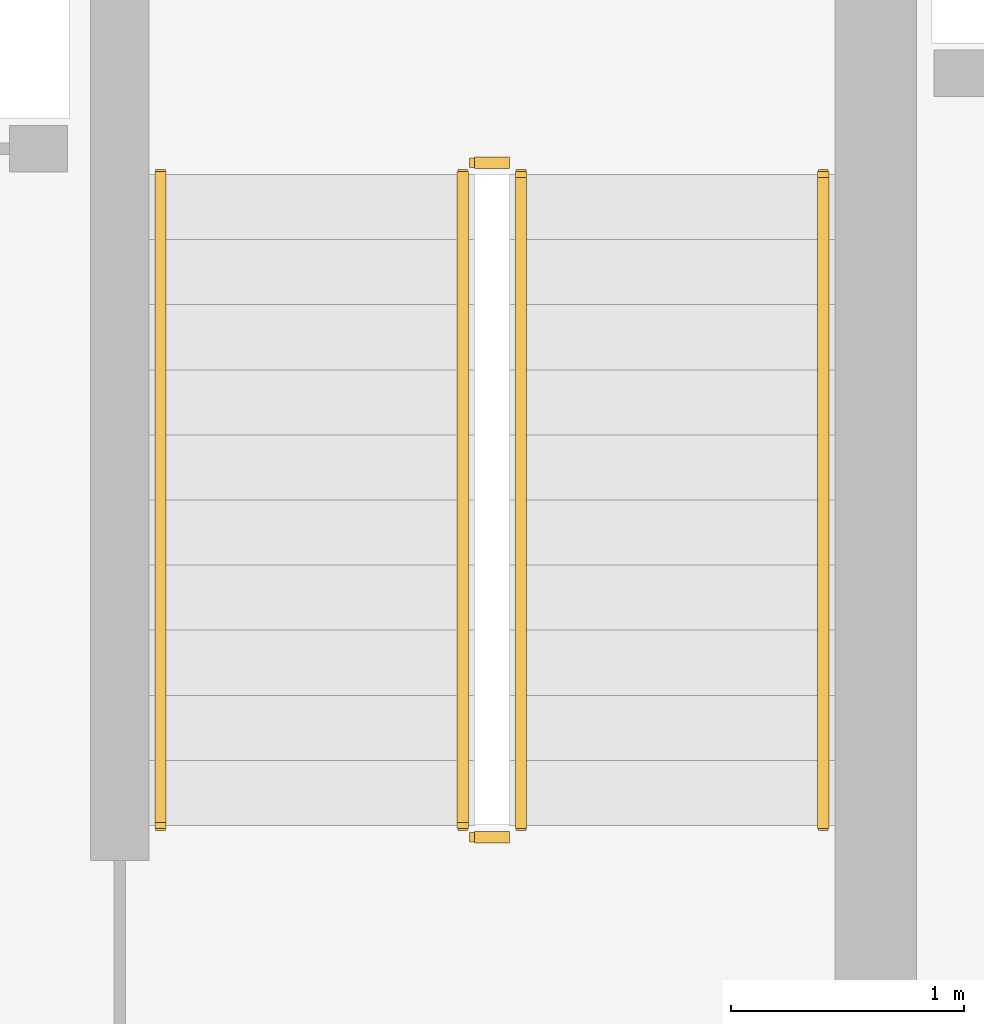
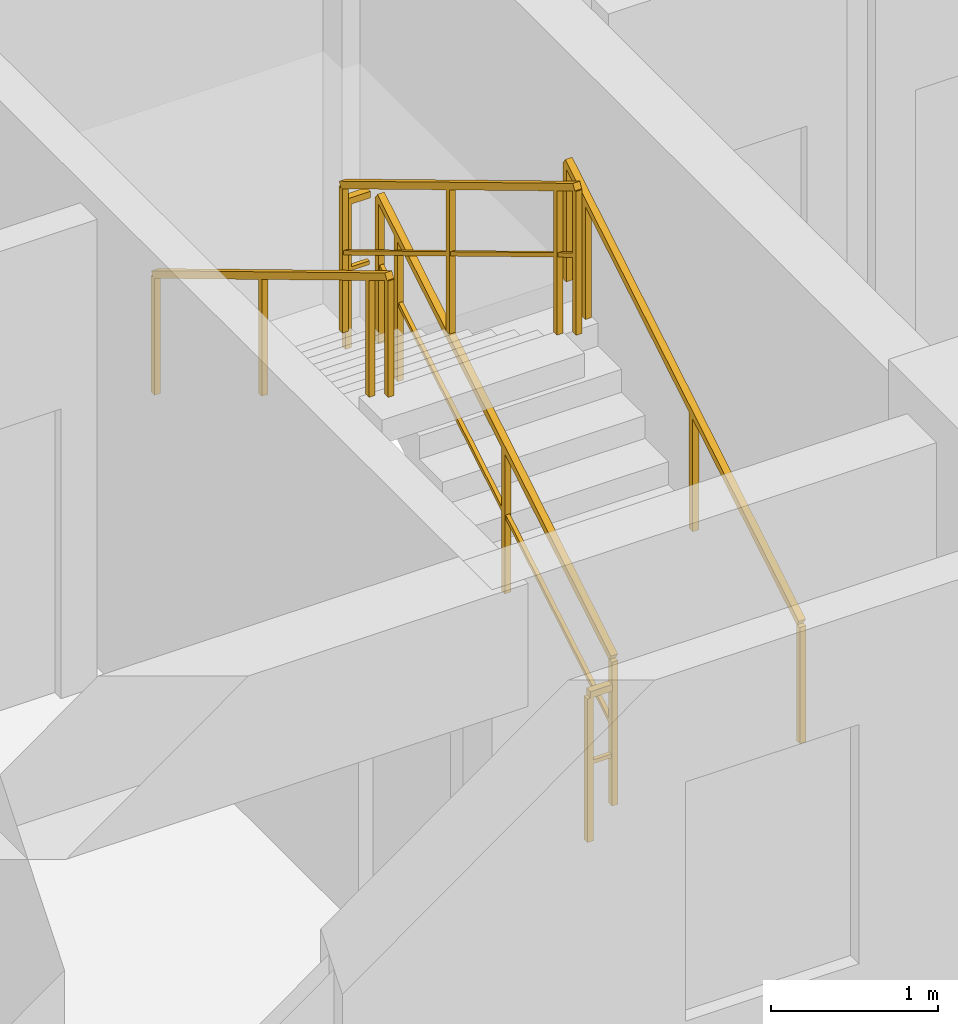
# One storey, part 23 of 24: 6 railings.
"""IFC4 building model written with IfcOpenShell, lengths in metres."""

import ifcopenshell
import ifcopenshell.guid

model = None  # the IFC model being written
_history = None  # IfcOwnerHistory: only IFC2X3 demands one
_inside = {}  # id of a spatial element -> (the spatial element, [elements in it])
_under = {}  # id of a project, library or spatial element -> (it, [spatial elements below it])
_declared = {}  # id of a project -> (the project, [libraries it declares])
_typed = {}  # id of a type object -> (the type object, [elements of that type])
_made_of = {}  # id of a material, layer set ... -> (it, [elements and type objects made of it])


def new_model(schema):
    """Start an empty IFC model of exactly this schema.

    Asked for "IFC4X3", IfcOpenShell would pick the latest addendum, in which some entities
    have other attributes; the version numbers below select the first issue.
    IFC2X3 requires an IfcOwnerHistory on every rooted entity: one is made here for all.
    """
    global model, _history
    if schema == "IFC4X3":
        model = ifcopenshell.file(schema_version=(4, 3, 0, 0))
    else:
        model = ifcopenshell.file(schema=schema)
    _inside.clear()
    _under.clear()
    _declared.clear()
    _typed.clear()
    _made_of.clear()
    _history = None
    if model.schema == "IFC2X3":
        org = make("IfcOrganization", Name="unknown")
        user = make(
            "IfcPersonAndOrganization",
            ThePerson=make("IfcPerson", FamilyName="unknown"),
            TheOrganization=org,
        )
        app = make(
            "IfcApplication",
            ApplicationDeveloper=org,
            Version="unknown",
            ApplicationFullName="unknown",
            ApplicationIdentifier="unknown",
        )
        _history = make(
            "IfcOwnerHistory",
            OwningUser=user,
            OwningApplication=app,
            ChangeAction="ADDED",
            CreationDate=0,
        )
    return model


def make(cls, **values):
    """One entity of the class cls with the attributes given. An attribute that is None is left unset."""
    return model.create_entity(
        cls, **{name: value for name, value in values.items() if value is not None}
    )


def rooted(cls, **values):
    """An entity with a GlobalId (a new one), such as an element, a storey or a relation."""
    return make(cls, GlobalId=ifcopenshell.guid.new(), OwnerHistory=_history, **values)


def si_unit(unit_type, name, prefix=None):
    """IfcSIUnit, for example si_unit("LENGTHUNIT", "METRE", prefix="MILLI")."""
    return make("IfcSIUnit", UnitType=unit_type, Prefix=prefix, Name=name)


def assignment(units):
    """IfcUnitAssignment: the units of a project."""
    return None if units is None else make("IfcUnitAssignment", Units=units)


def point(xyz):
    """IfcCartesianPoint."""
    return None if xyz is None else make("IfcCartesianPoint", Coordinates=xyz)


def direction(xyz):
    """IfcDirection."""
    return None if xyz is None else make("IfcDirection", DirectionRatios=xyz)


def frame(location, z_axis=None, x_axis=None):
    """IfcAxis2Placement3D, a coordinate frame: its origin and axes. An axis left out is left unset."""
    return make(
        "IfcAxis2Placement3D",
        Location=point(location),
        Axis=direction(z_axis),
        RefDirection=direction(x_axis),
    )


def frame_2d(location, x_axis=None):
    """IfcAxis2Placement2D, a coordinate frame in the plane: its origin and x axis."""
    return make(
        "IfcAxis2Placement2D", Location=point(location), RefDirection=direction(x_axis)
    )


def origin():
    """The frame at (0, 0, 0) with its axes left unset."""
    return frame((0.0, 0.0, 0.0))


def origin_2d():
    """The frame at (0, 0) in the plane with its x axis left unset."""
    return frame_2d((0.0, 0.0))


def place(relative_to, where):
    """IfcLocalPlacement: puts the frame where relative to a parent placement (None: the world)."""
    return make(
        "IfcLocalPlacement", PlacementRelTo=relative_to, RelativePlacement=where
    )


def context(
    kind, dimensions, precision=None, world=None, true_north=None, identifier=None
):
    """IfcGeometricRepresentationContext, for example the 3D "Model" context."""
    return make(
        "IfcGeometricRepresentationContext",
        ContextIdentifier=identifier,
        ContextType=kind,
        CoordinateSpaceDimension=dimensions,
        Precision=precision,
        WorldCoordinateSystem=world,
        TrueNorth=true_north,
    )


def subcontext(parent, identifier, kind, view, scale=None):
    """IfcGeometricRepresentationSubContext, for example "Body" below "Model"."""
    return make(
        "IfcGeometricRepresentationSubContext",
        ContextIdentifier=identifier,
        ContextType=kind,
        ParentContext=parent,
        TargetScale=scale,
        TargetView=view,
    )


def project(units=None, contexts=None):
    """IfcProject with its units and contexts."""
    return rooted(
        "IfcProject",
        Name="project",
        RepresentationContexts=contexts,
        UnitsInContext=assignment(units),
    )


def spatial(cls, under=None, at=None, **own):
    """A site, building, storey or space (cls), placed at a placement, below another one or the project."""
    s = rooted(cls, ObjectPlacement=at, **own)
    if under is not None:
        _under.setdefault(under.id(), (under, []))[1].append(s)
    return s


def profile(cls, at=None, kind="AREA", **sizes):
    """A parametric profile (cls). Its sizes go by their IFC names, for example OverallWidth=200.0."""
    return make(cls, ProfileType=kind, Position=at, **sizes)


def rectangle(**sizes):
    """IfcRectangleProfileDef."""
    return profile("IfcRectangleProfileDef", **sizes)


def extrude(swept, where, along, depth):
    """IfcExtrudedAreaSolid: the profile swept, set in the frame where, extruded along a direction by depth."""
    return make(
        "IfcExtrudedAreaSolid",
        SweptArea=swept,
        Position=where,
        ExtrudedDirection=direction(along),
        Depth=depth,
    )


def shape(context_of_items, identifier, shape_type, items):
    """IfcShapeRepresentation: the items that make up one representation, for example the "Body"."""
    return make(
        "IfcShapeRepresentation",
        ContextOfItems=context_of_items,
        RepresentationIdentifier=identifier,
        RepresentationType=shape_type,
        Items=items,
    )


def material(Name=None, Category=None):
    """IfcMaterial."""
    return make("IfcMaterial", Name=Name, Category=Category)


def made_of(thing, what):
    """Note that an element or type object is made of a material, layer set ...; save() writes the relation."""
    if what is not None:
        _made_of.setdefault(what.id(), (what, []))[1].append(thing)
    return thing


def type_object(cls, material=None, **own):
    """A type object (cls), such as IfcWallType, which elements share."""
    return made_of(rooted(cls, **own), material)


def element(
    cls,
    number,
    at=None,
    inside=None,
    cuts=None,
    type_object=None,
    material=None,
    context=None,
    identifier="Body",
    shape_type=None,
    held_by="IfcProductDefinitionShape",
    body=None,
    shapes=None,
    **own,
):
    """One element of the class cls, such as IfcWall. Its Tag is "e" and its number.

    at: its placement. inside: the storey or other place that contains it. cuts: it is an
    opening in that element (IfcRelVoidsElement). A single representation is given by context,
    identifier, shape_type and body (its items); several are given by shapes. held_by: the class
    of the entity that holds the representations. save() writes the other relations.
    """
    e = rooted(cls, Tag="e%d" % number, ObjectPlacement=at, **own)
    if body is not None:
        shapes = [shape(context, identifier, shape_type, body)]
    if shapes is not None:
        e.Representation = make(held_by, Representations=shapes)
    if inside is not None:
        _inside.setdefault(inside.id(), (inside, []))[1].append(e)
    if cuts is not None:
        rooted(
            "IfcRelVoidsElement", RelatingBuildingElement=cuts, RelatedOpeningElement=e
        )
    if type_object is not None:
        _typed.setdefault(type_object.id(), (type_object, []))[1].append(e)
    return made_of(e, material)


def aggregate(whole, parts):
    """IfcRelAggregates: a whole, such as a stair, and the parts it consists of."""
    return rooted("IfcRelAggregates", RelatingObject=whole, RelatedObjects=parts)


def save(model, path):
    """Write the relations noted so far, then the file.

    IfcRelAggregates (storeys below a building ...), IfcRelContainedInSpatialStructure (elements
    in a storey), IfcRelDefinesByType, IfcRelAssociatesMaterial and IfcRelDeclares: one each for
    every whole, place, type object, material and project.
    """
    for whole, parts in _under.values():
        aggregate(whole, parts)
    for where, things in _inside.values():
        rooted(
            "IfcRelContainedInSpatialStructure",
            RelatedElements=things,
            RelatingStructure=where,
        )
    for kind, things in _typed.values():
        rooted("IfcRelDefinesByType", RelatedObjects=things, RelatingType=kind)
    for what, things in _made_of.values():
        rooted("IfcRelAssociatesMaterial", RelatedObjects=things, RelatingMaterial=what)
    for by, libraries in _declared.values():
        rooted("IfcRelDeclares", RelatingContext=by, RelatedDefinitions=libraries)
    model.write(path)


model = new_model("IFC4")

# Units and contexts
model_context = context("Model", 3, precision=1e-05, world=origin(), true_north=direction((0.0, 1.0)))
body_context = subcontext(model_context, "Body", "Model", "MODEL_VIEW")
ifc_project = project(units=[si_unit("LENGTHUNIT", "METRE"), si_unit("AREAUNIT", "SQUARE_METRE"), si_unit("VOLUMEUNIT", "CUBIC_METRE"), si_unit("PLANEANGLEUNIT", "RADIAN"), si_unit("MASSUNIT", "GRAM", prefix="KILO")], contexts=[model_context])

# Site, building, storey
site_placement = place(None, origin())
site = spatial("IfcSite", under=ifc_project, at=site_placement, CompositionType="ELEMENT")
building_placement = place(site_placement, origin())
building = spatial("IfcBuilding", under=site, at=building_placement, Name="Kaliganga Portal Commons", CompositionType="ELEMENT")
storey_placement = place(building_placement, frame((0.0, 0.0, 235.10009765625)))
storey = spatial("IfcBuildingStorey", under=building, at=storey_placement, Name="L60", CompositionType="ELEMENT", Elevation=235.10009765625)

# Railings
ifc_material_1 = material(Name="Galvanized Painted Steel Balustrade", Category="steel")
railing_type_1 = type_object("IfcRailingType", Name="RLG-STAIR-GRD", PredefinedType="GUARDRAIL", material=ifc_material_1)
railing_1_placement = place(storey_placement, frame((48.699951171875, 8.699951171875, 0.16796875)))
element("IfcRailing", 1, at=railing_1_placement, inside=storey, type_object=railing_type_1, Name="L60 ST-B2 stair guard 1", PredefinedType="GUARDRAIL", context=body_context, shape_type="SweptSolid", body=[
    extrude(rectangle(XDim=0.048095703125, YDim=0.048095703125, at=origin_2d()), frame((0.0, 0.0, 1.072021484375), z_axis=(0.0, 0.857242210791, 0.514913383045), x_axis=(-1.0, 0.0, 0.0)), (0.0, 0.0, 1.0), 3.266357421875),
    extrude(rectangle(XDim=0.028076171875, YDim=0.028076171875, at=origin_2d()), frame((0.0, 0.0, 0.572021484375), z_axis=(0.0, 0.857242210791, 0.514913383045), x_axis=(-1.0, 0.0, 0.0)), (0.0, 0.0, 1.0), 3.266357421875),
    extrude(rectangle(XDim=0.0419921875, YDim=0.0419921875, at=origin_2d()), origin(), (0.0, 0.0, 1.0), 1.052001953125),
    extrude(rectangle(XDim=0.0419921875, YDim=0.0419921875, at=origin_2d()), frame((0.0, 1.285888671875, 0.7724609375)), (0.0, 0.0, 1.0), 1.052001953125),
    extrude(rectangle(XDim=0.0419921875, YDim=0.0419921875, at=origin_2d()), frame((0.0, 2.57177734375, 1.544677734375)), (0.0, 0.0, 1.0), 1.052001953125),
    extrude(rectangle(XDim=0.0419921875, YDim=0.0419921875, at=origin_2d()), frame((0.0, 2.800048828125, 1.681884765625)), (0.0, 0.0, 1.0), 1.052001953125),
])
railing_2_placement = place(storey_placement, frame((48.64990234375, 11.550048828125, 1.849853515625)))
element("IfcRailing", 2, at=railing_2_placement, inside=storey, type_object=railing_type_1, Name="L60 ST-B2 stair guard 2", PredefinedType="GUARDRAIL", context=body_context, shape_type="SweptSolid", body=[
    extrude(rectangle(XDim=0.048095703125, YDim=0.048095703125, at=origin_2d()), frame((0.0, 0.0, 1.076171875), z_axis=(-1.0, 0.0, 0.0), x_axis=(0.0, -1.0, 0.0)), (0.0, 0.0, 1.0), 0.14990234375),
    extrude(rectangle(XDim=0.028076171875, YDim=0.028076171875, at=origin_2d()), frame((0.0, 0.0, 0.572021484375), z_axis=(-1.0, 0.0, 0.0), x_axis=(0.0, -1.0, 0.0)), (0.0, 0.0, 1.0), 0.14990234375),
    extrude(rectangle(XDim=0.0419921875, YDim=0.0419921875, at=origin_2d()), frame((-0.14990234375, 0.0, 0.0)), (0.0, 0.0, 1.0), 1.052001953125),
])
railing_3_placement = place(storey_placement, frame((48.449951171875, 11.5, 2.01806640625)))
element("IfcRailing", 3, at=railing_3_placement, inside=storey, type_object=railing_type_1, Name="L60 ST-B2 stair guard 3", PredefinedType="GUARDRAIL", context=body_context, shape_type="SweptSolid", body=[
    extrude(rectangle(XDim=0.048095703125, YDim=0.048095703125, at=origin_2d()), frame((0.0, 0.0, 1.072021484375), z_axis=(0.0, -0.857242210791, 0.514913383045), x_axis=(1.0, 0.0, 0.0)), (0.0, 0.0, 1.0), 3.266357421875),
    extrude(rectangle(XDim=0.028076171875, YDim=0.028076171875, at=origin_2d()), frame((0.0, 0.0, 0.572021484375), z_axis=(0.0, -0.857242210791, 0.514913383045), x_axis=(1.0, 0.0, 0.0)), (0.0, 0.0, 1.0), 3.266357421875),
    extrude(rectangle(XDim=0.0419921875, YDim=0.0419921875, at=origin_2d()), origin(), (0.0, 0.0, 1.0), 1.052001953125),
    extrude(rectangle(XDim=0.0419921875, YDim=0.0419921875, at=origin_2d()), frame((0.0, -1.285888671875, 0.7724609375)), (0.0, 0.0, 1.0), 1.052001953125),
    extrude(rectangle(XDim=0.0419921875, YDim=0.0419921875, at=origin_2d()), frame((0.0, -2.57177734375, 1.544677734375)), (0.0, 0.0, 1.0), 1.052001953125),
    extrude(rectangle(XDim=0.0419921875, YDim=0.0419921875, at=origin_2d()), frame((0.0, -2.800048828125, 1.681884765625)), (0.0, 0.0, 1.0), 1.052001953125),
])
railing_4_placement = place(storey_placement, frame((48.64990234375, 8.64990234375, 0.0)))
element("IfcRailing", 4, at=railing_4_placement, inside=storey, type_object=railing_type_1, Name="L60 ST-B2 stair guard 4", PredefinedType="GUARDRAIL", context=body_context, shape_type="SweptSolid", body=[
    extrude(rectangle(XDim=0.048095703125, YDim=0.048095703125, at=origin_2d()), frame((0.0, 0.0, 1.076171875), z_axis=(-1.0, 0.0, 0.0), x_axis=(0.0, -1.0, 0.0)), (0.0, 0.0, 1.0), 0.14990234375),
    extrude(rectangle(XDim=0.028076171875, YDim=0.028076171875, at=origin_2d()), frame((0.0, 0.0, 0.572021484375), z_axis=(-1.0, 0.0, 0.0), x_axis=(0.0, -1.0, 0.0)), (0.0, 0.0, 1.0), 0.14990234375),
    extrude(rectangle(XDim=0.0419921875, YDim=0.0419921875, at=origin_2d()), frame((-0.14990234375, 0.0, 0.0)), (0.0, 0.0, 1.0), 1.052001953125),
])
ifc_material_2 = material(Name="Brushed Stainless Steel 316", Category="steel")
railing_type_2 = type_object("IfcRailingType", Name="RLG-STAIR-HR", PredefinedType="HANDRAIL", material=ifc_material_2)
railing_5_placement = place(storey_placement, frame((50.0, 8.699951171875, 0.16796875)))
element("IfcRailing", 5, at=railing_5_placement, inside=storey, type_object=railing_type_2, Name="L60 ST-B2 stair handrail 1", PredefinedType="HANDRAIL", context=body_context, shape_type="SweptSolid", body=[
    extrude(rectangle(XDim=0.048095703125, YDim=0.048095703125, at=origin_2d()), frame((0.0, 0.0, 0.871826171875), z_axis=(0.0, 0.857242210791, 0.514913383045), x_axis=(-1.0, 0.0, 0.0)), (0.0, 0.0, 1.0), 3.266357421875),
    extrude(rectangle(XDim=0.0419921875, YDim=0.0419921875, at=origin_2d()), origin(), (0.0, 0.0, 1.0), 0.851806640625),
    extrude(rectangle(XDim=0.0419921875, YDim=0.0419921875, at=origin_2d()), frame((0.0, 1.285888671875, 0.7724609375)), (0.0, 0.0, 1.0), 0.851806640625),
    extrude(rectangle(XDim=0.0419921875, YDim=0.0419921875, at=origin_2d()), frame((0.0, 2.57177734375, 1.544677734375)), (0.0, 0.0, 1.0), 0.851806640625),
    extrude(rectangle(XDim=0.0419921875, YDim=0.0419921875, at=origin_2d()), frame((0.0, 2.800048828125, 1.681884765625)), (0.0, 0.0, 1.0), 0.851806640625),
])
railing_6_placement = place(storey_placement, frame((47.14990234375, 11.5, 2.01806640625)))
element("IfcRailing", 6, at=railing_6_placement, inside=storey, type_object=railing_type_2, Name="L60 ST-B2 stair handrail 2", PredefinedType="HANDRAIL", context=body_context, shape_type="SweptSolid", body=[
    extrude(rectangle(XDim=0.048095703125, YDim=0.048095703125, at=origin_2d()), frame((0.0, 0.0, 0.871826171875), z_axis=(0.0, -0.857242210791, 0.514913383045), x_axis=(1.0, 0.0, 0.0)), (0.0, 0.0, 1.0), 3.266357421875),
    extrude(rectangle(XDim=0.0419921875, YDim=0.0419921875, at=origin_2d()), origin(), (0.0, 0.0, 1.0), 0.851806640625),
    extrude(rectangle(XDim=0.0419921875, YDim=0.0419921875, at=origin_2d()), frame((0.0, -1.285888671875, 0.7724609375)), (0.0, 0.0, 1.0), 0.851806640625),
    extrude(rectangle(XDim=0.0419921875, YDim=0.0419921875, at=origin_2d()), frame((0.0, -2.57177734375, 1.544677734375)), (0.0, 0.0, 1.0), 0.851806640625),
    extrude(rectangle(XDim=0.0419921875, YDim=0.0419921875, at=origin_2d()), frame((0.0, -2.800048828125, 1.681884765625)), (0.0, 0.0, 1.0), 0.851806640625),
])

save(model, "model.ifc")
